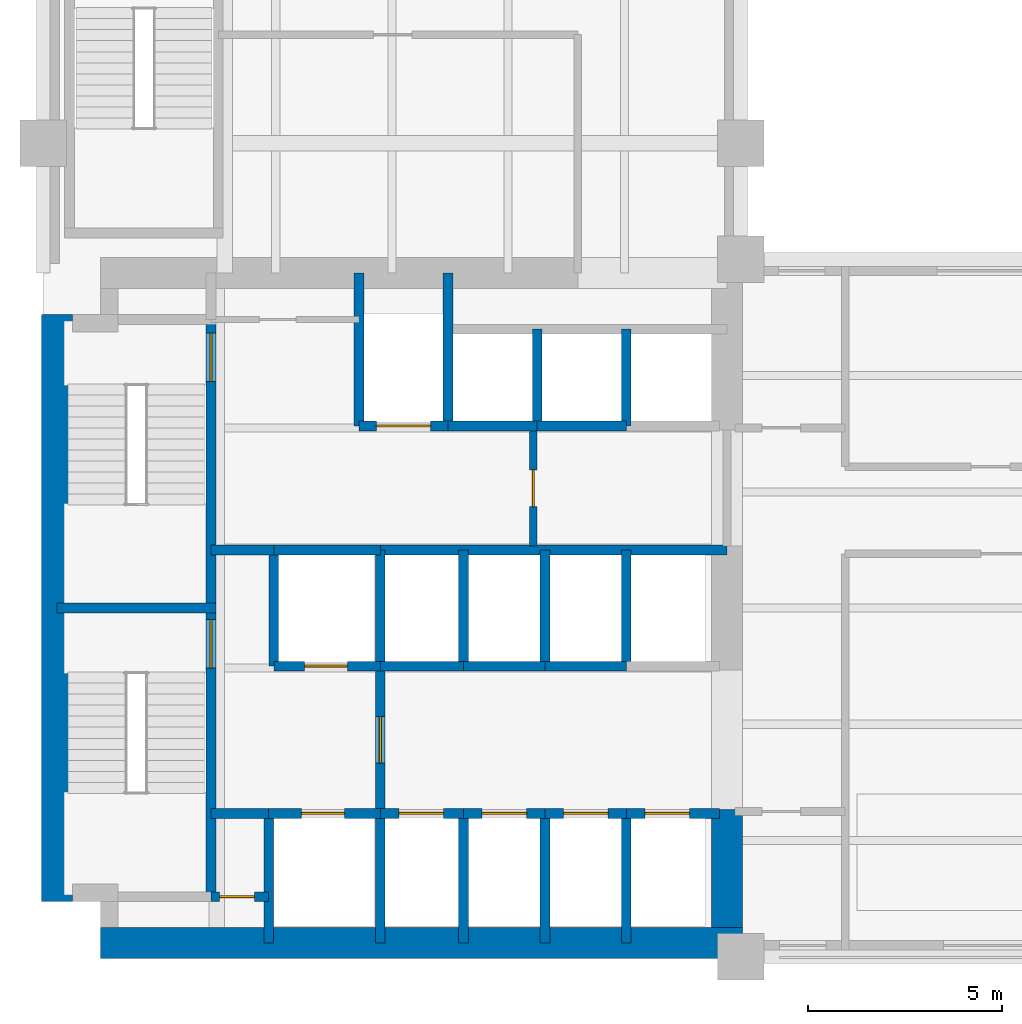
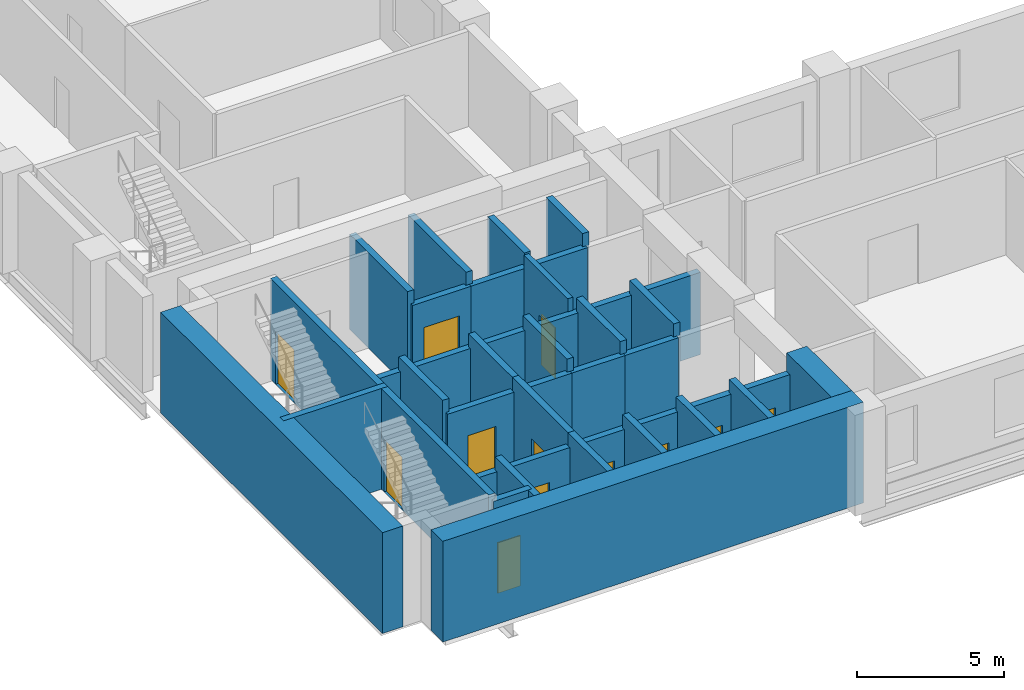
# One storey, part 3 of 8: 39 walls, 12 doors, 12 openings.
"""IFC4 building model written with IfcOpenShell, lengths in metres."""

from ifc_helpers import new_model, si_unit, direction, frame, frame_2d, origin, place, context, subcontext, project, spatial, rectangle, extrude, material, layer, layer_set, type_object, element, fill, save


model = new_model("IFC4")

# Units and contexts
model_context = context("Model", 3, precision=1e-05, world=origin(), true_north=direction((0.0, 1.0)))
body_context = subcontext(model_context, "Body", "Model", "MODEL_VIEW")
ifc_project = project(units=[si_unit("LENGTHUNIT", "METRE"), si_unit("AREAUNIT", "SQUARE_METRE"), si_unit("VOLUMEUNIT", "CUBIC_METRE"), si_unit("PLANEANGLEUNIT", "RADIAN"), si_unit("MASSUNIT", "GRAM", prefix="KILO")], contexts=[model_context])

# Site, building, storey
site_placement = place(None, origin())
site = spatial("IfcSite", under=ifc_project, at=site_placement, CompositionType="ELEMENT")
building_placement = place(site_placement, origin())
building = spatial("IfcBuilding", under=site, at=building_placement, Name="Mawjdan Bourse Tower", CompositionType="ELEMENT")
storey_placement = place(building_placement, frame((0.0, 0.0, 38.39990234375)))
storey = spatial("IfcBuildingStorey", under=building, at=storey_placement, Name="L08", CompositionType="ELEMENT", Elevation=38.39990234375)

# Wall, opening, door
ifc_material_1 = material(Name="Gypsum Fireboard Assembly")
ifc_layer_1 = layer(ifc_material_1, 0.199951171875)
ifc_layer_set_1 = layer_set([ifc_layer_1], Name="Gypsum Fireboard Assembly")
wall_type_1 = type_object("IfcWallType", Name="WL-CMP-200", PredefinedType="PARTITIONING", material=ifc_layer_set_1)
wall_1_placement = place(storey_placement, frame((18.64990234375, 13.60009765625, 0.0), z_axis=(0.0, 0.0, 1.0), x_axis=(0.0, 1.0, 0.0)))
wall_1 = element("IfcWall", 1, at=wall_1_placement, inside=storey, type_object=wall_type_1, Name="L08 Core Restroom West Wall", PredefinedType="PARTITIONING", context=body_context, shape_type="SweptSolid", body=[
    extrude(rectangle(XDim=3.0, YDim=0.199951171875, at=frame_2d((1.5, 0.0))), origin(), (0.0, 0.0, 1.0), 3.97021484375),
])
opening_1_placement = place(wall_1_placement, frame((1.02001953125, 0.0, 0.0)))
opening_1 = element("IfcOpeningElement", 2, at=opening_1_placement, cuts=wall_1, Name="Opening D-L08-14", PredefinedType="OPENING", context=body_context, shape_type="SweptSolid", body=[
    extrude(rectangle(XDim=0.949951171875, YDim=2.10009765625, at=frame_2d((0.47509765625, 1.050048828125))), frame((0.0, 0.10986328125, 0.0), z_axis=(0.0, -1.0, 0.0), x_axis=(1.0, 0.0, 0.0)), (0.0, 0.0, 1.0), 0.219970703125),
])
ifc_material_2 = material(Name="Moisture-Resistant Laminate Timber", Category="wood")
door_type_1 = type_object("IfcDoorType", Name="DR-WET-0950", OperationType="NOTDEFINED", PredefinedType="DOOR", material=ifc_material_2)
door_1_placement = place(opening_1_placement, origin())
door_1 = element("IfcDoor", 3, at=door_1_placement, inside=storey, type_object=door_type_1, Name="L08 Accessible WC Entry Door D-L08-14", OperationType="SINGLE_SWING_LEFT", OverallHeight=2.10009765625, OverallWidth=0.949951171875, PredefinedType="DOOR", context=body_context, shape_type="SweptSolid", body=[
    extrude(rectangle(XDim=0.949951171875, YDim=2.10009765625, at=frame_2d((0.47509765625, 1.050048828125))), frame((0.0, 0.02490234375, 0.0), z_axis=(0.0, -1.0, 0.0), x_axis=(1.0, 0.0, 0.0)), (0.0, 0.0, 1.0), 0.050048828125),
])
fill(opening_1, door_1)

# Walls
ifc_material_3 = material(Name="Concrete C80/95", Category="concrete")
ifc_layer_2 = layer(ifc_material_3, 0.800048828125)
ifc_layer_set_2 = layer_set([ifc_layer_2], Name="Concrete C80/95")
wall_type_2 = type_object("IfcWallType", Name="WL-CORE-800", PredefinedType="SHEAR", material=ifc_layer_set_2)
wall_2_placement = place(storey_placement, frame((7.47509765625, 3.35009765625, 0.0), z_axis=(0.0, 0.0, 1.0), x_axis=(1.0, 0.0, 0.0)))
element("IfcWall", 4, at=wall_2_placement, inside=storey, type_object=wall_type_2, Name="L08 Rear Core Shear Wall S", PredefinedType="SHEAR", context=body_context, shape_type="SweptSolid", body=[
    extrude(rectangle(XDim=16.574951171875, YDim=0.800048828125, at=frame_2d((8.28759765625, 0.0))), origin(), (0.0, 0.0, 1.0), 4.2001953125),
])
wall_3_placement = place(storey_placement, frame((6.35009765625, 4.425048828125, 0.0), z_axis=(0.0, 0.0, 1.0), x_axis=(0.0, 1.0, 0.0)))
element("IfcWall", 5, at=wall_3_placement, inside=storey, type_object=wall_type_2, Name="L08 Rear Core Shear Wall W", PredefinedType="SHEAR", context=body_context, shape_type="SweptSolid", body=[
    extrude(rectangle(XDim=15.14990234375, YDim=0.800048828125, at=frame_2d((7.574951171875, 0.0))), origin(), (0.0, 0.0, 1.0), 4.2001953125),
])
wall_4_placement = place(storey_placement, frame((23.64990234375, 3.75, 0.0), z_axis=(0.0, 0.0, 1.0), x_axis=(0.0, 1.0, 0.0)))
element("IfcWall", 6, at=wall_4_placement, inside=storey, type_object=wall_type_2, Name="L08 Rear Core Shear Wall E1", PredefinedType="SHEAR", context=body_context, shape_type="SweptSolid", body=[
    extrude(rectangle(XDim=3.050048828125, YDim=0.800048828125, at=frame_2d((1.52490234375, 0.0))), origin(), (0.0, 0.0, 1.0), 4.2001953125),
])

# Wall, opening, door
ifc_material_4 = material(Name="Concrete C50/60", Category="concrete")
ifc_layer_3 = layer(ifc_material_4, 0.25)
ifc_layer_set_3 = layer_set([ifc_layer_3], Name="Concrete C50/60")
wall_type_3 = type_object("IfcWallType", Name="WL-SHFT-250", PredefinedType="PARTITIONING", material=ifc_layer_set_3)
wall_5_placement = place(storey_placement, frame((10.330078125, 4.550048828125, 0.0), z_axis=(0.0, 0.0, 1.0), x_axis=(1.0, 0.0, 0.0)))
wall_5 = element("IfcWall", 7, at=wall_5_placement, inside=storey, type_object=wall_type_3, Name="L08 SW Riser North Wall", PredefinedType="PARTITIONING", context=body_context, shape_type="SweptSolid", body=[
    extrude(rectangle(XDim=1.489990234375, YDim=0.25, at=frame_2d((0.7451171875, 0.0))), origin(), (0.0, 0.0, 1.0), 3.97021484375),
])
opening_2_placement = place(wall_5_placement, frame((0.219970703125, 0.0, 0.0)))
opening_2 = element("IfcOpeningElement", 8, at=opening_2_placement, cuts=wall_5, Name="Opening RD-L08-03", PredefinedType="OPENING", context=body_context, shape_type="SweptSolid", body=[
    extrude(rectangle(XDim=0.89990234375, YDim=2.10009765625, at=frame_2d((0.449951171875, 1.050048828125))), frame((0.0, 0.135009765625, 0.0), z_axis=(0.0, -1.0, 0.0), x_axis=(1.0, 0.0, 0.0)), (0.0, 0.0, 1.0), 0.27001953125),
])
ifc_material_5 = material(Name="Fire-Rated Steel Access Leaf", Category="steel")
door_type_2 = type_object("IfcDoorType", Name="FD-RSR-0900", OperationType="NOTDEFINED", PredefinedType="TRAPDOOR", material=ifc_material_5)
door_2_placement = place(opening_2_placement, origin())
door_2 = element("IfcDoor", 9, at=door_2_placement, inside=storey, type_object=door_type_2, Name="L08 Electrical Riser Access Door RD-L08-03", OperationType="SINGLE_SWING_LEFT", OverallHeight=2.10009765625, OverallWidth=0.89990234375, PredefinedType="TRAPDOOR", context=body_context, shape_type="SweptSolid", body=[
    extrude(rectangle(XDim=0.89990234375, YDim=2.10009765625, at=frame_2d((0.449951171875, 1.050048828125))), frame((0.0, 0.02490234375, 0.0), z_axis=(0.0, -1.0, 0.0), x_axis=(1.0, 0.0, 0.0)), (0.0, 0.0, 1.0), 0.050048828125),
])
fill(opening_2, door_2)

# Wall
wall_6_placement = place(storey_placement, frame((11.820068359375, 3.35009765625, 0.0), z_axis=(0.0, 0.0, 1.0), x_axis=(0.0, 1.0, 0.0)))
element("IfcWall", 10, at=wall_6_placement, inside=storey, type_object=wall_type_3, Name="L08 SW Riser & FFL01 West Wall", PredefinedType="PARTITIONING", context=body_context, shape_type="SweptSolid", body=[
    extrude(rectangle(XDim=3.349853515625, YDim=0.25, at=frame_2d((1.6748046875, 0.0))), origin(), (0.0, 0.0, 1.0), 3.97021484375),
])

# Wall, opening, door
wall_7_placement = place(storey_placement, frame((11.820068359375, 6.699951171875, 0.0), z_axis=(0.0, 0.0, 1.0), x_axis=(1.0, 0.0, 0.0)))
wall_7 = element("IfcWall", 11, at=wall_7_placement, inside=storey, type_object=wall_type_3, Name="L08 FFL-01 Front Shaft Wall", PredefinedType="PARTITIONING", context=body_context, shape_type="SweptSolid", body=[
    extrude(rectangle(XDim=2.8798828125, YDim=0.25, at=frame_2d((1.43994140625, 0.0))), origin(), (0.0, 0.0, 1.0), 3.426025390625),
])
opening_3_placement = place(wall_7_placement, frame((0.85009765625, 0.0, 0.0)))
opening_3 = element("IfcOpeningElement", 12, at=opening_3_placement, cuts=wall_7, Name="Opening LD-L08-05", PredefinedType="OPENING", context=body_context, shape_type="SweptSolid", body=[
    extrude(rectangle(XDim=1.10009765625, YDim=2.25, at=frame_2d((0.550048828125, 1.125))), frame((0.0, 0.135009765625, 0.0), z_axis=(0.0, -1.0, 0.0), x_axis=(1.0, 0.0, 0.0)), (0.0, 0.0, 1.0), 0.27001953125),
])
ifc_material_6 = material(Name="Brushed Stainless Steel", Category="steel")
door_type_3 = type_object("IfcDoorType", Name="LD-FFL-1100", OperationType="DOUBLE_DOOR_SLIDING", PredefinedType="DOOR", material=ifc_material_6)
door_3_placement = place(opening_3_placement, origin())
door_3 = element("IfcDoor", 13, at=door_3_placement, inside=storey, type_object=door_type_3, Name="L08 Firefighting Lift FFL-01 Landing Door LD-L08-05", OperationType="DOUBLE_DOOR_SLIDING", OverallHeight=2.25, OverallWidth=1.10009765625, PredefinedType="DOOR", context=body_context, shape_type="SweptSolid", body=[
    extrude(rectangle(XDim=1.10009765625, YDim=2.25, at=frame_2d((0.550048828125, 1.125))), frame((0.0, 0.02490234375, 0.0), z_axis=(0.0, -1.0, 0.0), x_axis=(1.0, 0.0, 0.0)), (0.0, 0.0, 1.0), 0.050048828125),
])
fill(opening_3, door_3)

# Wall
wall_8_placement = place(storey_placement, frame((14.699951171875, 3.35009765625, 0.0), z_axis=(0.0, 0.0, 1.0), x_axis=(0.0, 1.0, 0.0)))
element("IfcWall", 14, at=wall_8_placement, inside=storey, type_object=wall_type_3, Name="L08 FFL-01 East Shaft Wall", PredefinedType="PARTITIONING", context=body_context, shape_type="SweptSolid", body=[
    extrude(rectangle(XDim=3.349853515625, YDim=0.25, at=frame_2d((1.6748046875, 0.0))), origin(), (0.0, 0.0, 1.0), 3.97021484375),
])

# Wall, opening, door
wall_9_placement = place(storey_placement, frame((11.949951171875, 10.5, 0.0), z_axis=(0.0, 0.0, 1.0), x_axis=(1.0, 0.0, 0.0)))
wall_9 = element("IfcWall", 15, at=wall_9_placement, inside=storey, type_object=wall_type_3, Name="L08 FFL-02 Front Shaft Wall", PredefinedType="PARTITIONING", context=body_context, shape_type="SweptSolid", body=[
    extrude(rectangle(XDim=2.75, YDim=0.25, at=frame_2d((1.375, 0.0))), origin(), (0.0, 0.0, 1.0), 3.426025390625),
])
opening_4_placement = place(wall_9_placement, frame((0.800048828125, 0.0, 0.0)))
opening_4 = element("IfcOpeningElement", 16, at=opening_4_placement, cuts=wall_9, Name="Opening LD-L08-06", PredefinedType="OPENING", context=body_context, shape_type="SweptSolid", body=[
    extrude(rectangle(XDim=1.10009765625, YDim=2.25, at=frame_2d((0.550048828125, 1.125))), frame((0.0, 0.135009765625, 0.0), z_axis=(0.0, -1.0, 0.0), x_axis=(1.0, 0.0, 0.0)), (0.0, 0.0, 1.0), 0.27001953125),
])
door_4_placement = place(opening_4_placement, origin())
door_4 = element("IfcDoor", 17, at=door_4_placement, inside=storey, type_object=door_type_3, Name="L08 Firefighting Lift FFL-02 Landing Door LD-L08-06", OperationType="DOUBLE_DOOR_SLIDING", OverallHeight=2.25, OverallWidth=1.10009765625, PredefinedType="DOOR", context=body_context, shape_type="SweptSolid", body=[
    extrude(rectangle(XDim=1.10009765625, YDim=2.25, at=frame_2d((0.550048828125, 1.125))), frame((0.0, 0.02490234375, 0.0), z_axis=(0.0, -1.0, 0.0), x_axis=(1.0, 0.0, 0.0)), (0.0, 0.0, 1.0), 0.050048828125),
])
fill(opening_4, door_4)

# Walls
wall_10_placement = place(storey_placement, frame((11.949951171875, 10.5, 0.0), z_axis=(0.0, 0.0, 1.0), x_axis=(0.0, 1.0, 0.0)))
element("IfcWall", 18, at=wall_10_placement, inside=storey, type_object=wall_type_3, Name="L08 FFL-02 West Shaft Wall", PredefinedType="PARTITIONING", context=body_context, shape_type="SweptSolid", body=[
    extrude(rectangle(XDim=3.0, YDim=0.25, at=frame_2d((1.5, 0.0))), origin(), (0.0, 0.0, 1.0), 3.97021484375),
])
wall_11_placement = place(storey_placement, frame((11.949951171875, 13.5, 0.0), z_axis=(0.0, 0.0, 1.0), x_axis=(1.0, 0.0, 0.0)))
element("IfcWall", 19, at=wall_11_placement, inside=storey, type_object=wall_type_3, Name="L08 FFL-02 North Shaft Wall", PredefinedType="PARTITIONING", context=body_context, shape_type="SweptSolid", body=[
    extrude(rectangle(XDim=2.75, YDim=0.25, at=frame_2d((1.375, 0.0))), origin(), (0.0, 0.0, 1.0), 3.426025390625),
])
wall_12_placement = place(storey_placement, frame((14.699951171875, 10.5, 0.0), z_axis=(0.0, 0.0, 1.0), x_axis=(0.0, 1.0, 0.0)))
element("IfcWall", 20, at=wall_12_placement, inside=storey, type_object=wall_type_3, Name="L08 FFL-02 East Shaft Wall", PredefinedType="PARTITIONING", context=body_context, shape_type="SweptSolid", body=[
    extrude(rectangle(XDim=3.0, YDim=0.25, at=frame_2d((1.5, 0.0))), origin(), (0.0, 0.0, 1.0), 3.97021484375),
])

# Wall, opening, door
wall_13_placement = place(storey_placement, frame((14.699951171875, 6.699951171875, 0.0), z_axis=(0.0, 0.0, 1.0), x_axis=(0.0, 1.0, 0.0)))
wall_13 = element("IfcWall", 21, at=wall_13_placement, inside=storey, type_object=wall_type_3, Name="L08 Firefighting Lobby East Compartment Wall", PredefinedType="PARTITIONING", context=body_context, shape_type="SweptSolid", body=[
    extrude(rectangle(XDim=3.800048828125, YDim=0.25, at=frame_2d((1.89990234375, 0.0))), origin(), (0.0, 0.0, 1.0), 3.97021484375),
])
opening_5_placement = place(wall_13_placement, frame((1.300048828125, 0.0, 0.0)))
opening_5 = element("IfcOpeningElement", 22, at=opening_5_placement, cuts=wall_13, Name="Opening FD-L08-07", PredefinedType="OPENING", context=body_context, shape_type="SweptSolid", body=[
    extrude(rectangle(XDim=1.199951171875, YDim=2.199951171875, at=frame_2d((0.60009765625, 1.10009765625))), frame((0.0, 0.135009765625, 0.0), z_axis=(0.0, -1.0, 0.0), x_axis=(1.0, 0.0, 0.0)), (0.0, 0.0, 1.0), 0.27001953125),
])
ifc_material_7 = material(Name="Fire-Rated Steel Leaf", Category="steel")
door_type_4 = type_object("IfcDoorType", Name="FD-FFL-1200", OperationType="NOTDEFINED", PredefinedType="DOOR", material=ifc_material_7)
door_5_placement = place(opening_5_placement, origin())
door_5 = element("IfcDoor", 23, at=door_5_placement, inside=storey, type_object=door_type_4, Name="L08 Firefighting Lobby East Smoke Door FD-L08-07", OperationType="SINGLE_SWING_LEFT", OverallHeight=2.199951171875, OverallWidth=1.199951171875, PredefinedType="DOOR", context=body_context, shape_type="SweptSolid", body=[
    extrude(rectangle(XDim=1.199951171875, YDim=2.199951171875, at=frame_2d((0.60009765625, 1.10009765625))), frame((0.0, 0.02490234375, 0.0), z_axis=(0.0, -1.0, 0.0), x_axis=(1.0, 0.0, 0.0)), (0.0, 0.0, 1.0), 0.050048828125),
])
fill(opening_5, door_5)

# Walls
wall_14_placement = place(storey_placement, frame((10.330078125, 13.5, 0.0), z_axis=(0.0, 0.0, 1.0), x_axis=(1.0, 0.0, 0.0)))
element("IfcWall", 24, at=wall_14_placement, inside=storey, type_object=wall_type_3, Name="L08 Firefighting Lobby North Compartment Wall", PredefinedType="PARTITIONING", context=body_context, shape_type="SweptSolid", body=[
    extrude(rectangle(XDim=1.619873046875, YDim=0.25, at=frame_2d((0.81005859375, 0.0))), origin(), (0.0, 0.0, 1.0), 3.426025390625),
])
wall_15_placement = place(storey_placement, frame((10.330078125, 6.699951171875, 0.0), z_axis=(0.0, 0.0, 1.0), x_axis=(1.0, 0.0, 0.0)))
element("IfcWall", 25, at=wall_15_placement, inside=storey, type_object=wall_type_3, Name="L08 Firefighting Lobby South Closure Wall", PredefinedType="PARTITIONING", context=body_context, shape_type="SweptSolid", body=[
    extrude(rectangle(XDim=1.489990234375, YDim=0.25, at=frame_2d((0.7451171875, 0.0))), origin(), (0.0, 0.0, 1.0), 3.426025390625),
])

# Wall, opening, door
wall_16_placement = place(storey_placement, frame((14.14990234375, 16.699951171875, 0.0), z_axis=(0.0, 0.0, 1.0), x_axis=(1.0, 0.0, 0.0)))
wall_16 = element("IfcWall", 26, at=wall_16_placement, inside=storey, type_object=wall_type_3, Name="L08 SVL-01 Front Shaft Wall", PredefinedType="PARTITIONING", context=body_context, shape_type="SweptSolid", body=[
    extrude(rectangle(XDim=2.300048828125, YDim=0.25, at=frame_2d((1.14990234375, 0.0))), origin(), (0.0, 0.0, 1.0), 3.426025390625),
])
opening_6_placement = place(wall_16_placement, frame((0.449951171875, 0.0, 0.0)))
opening_6 = element("IfcOpeningElement", 27, at=opening_6_placement, cuts=wall_16, Name="Opening LD-L08-09", PredefinedType="OPENING", context=body_context, shape_type="SweptSolid", body=[
    extrude(rectangle(XDim=1.39990234375, YDim=2.35009765625, at=frame_2d((0.699951171875, 1.175048828125))), frame((0.0, 0.135009765625, 0.0), z_axis=(0.0, -1.0, 0.0), x_axis=(1.0, 0.0, 0.0)), (0.0, 0.0, 1.0), 0.27001953125),
])
ifc_material_8 = material(Name="Heavy-Duty Stainless Steel", Category="steel")
door_type_5 = type_object("IfcDoorType", Name="LD-SRV-1400", OperationType="DOUBLE_DOOR_SLIDING", PredefinedType="DOOR", material=ifc_material_8)
door_6_placement = place(opening_6_placement, origin())
door_6 = element("IfcDoor", 28, at=door_6_placement, inside=storey, type_object=door_type_5, Name="L08 Service Lift SVL-01 Landing Door LD-L08-09", OperationType="DOUBLE_DOOR_SLIDING", OverallHeight=2.35009765625, OverallWidth=1.39990234375, PredefinedType="DOOR", context=body_context, shape_type="SweptSolid", body=[
    extrude(rectangle(XDim=1.39990234375, YDim=2.35009765625, at=frame_2d((0.699951171875, 1.175048828125))), frame((0.0, 0.02490234375, 0.0), z_axis=(0.0, -1.0, 0.0), x_axis=(1.0, 0.0, 0.0)), (0.0, 0.0, 1.0), 0.050048828125),
])
fill(opening_6, door_6)

# Walls
for number, where, z_axis, x_axis, name in (
    (29, (14.14990234375, 16.699951171875, 0.0), (0.0, 0.0, 1.0), (0.0, 1.0, 0.0), "L08 SVL-01 West Shaft Wall"),
    (30, (16.449951171875, 16.699951171875, 0.0), (0.0, 0.0, 1.0), (0.0, 1.0, 0.0), "L08 SVL-01 East Shaft Wall"),
):
    element("IfcWall", number, at=place(storey_placement, frame(where, z_axis=z_axis, x_axis=x_axis)), inside=storey, type_object=wall_type_3, Name=name, PredefinedType="PARTITIONING", context=body_context, shape_type="SweptSolid", body=[
        extrude(rectangle(XDim=3.949951171875, YDim=0.25, at=frame_2d((1.97509765625, 0.0))), origin(), (0.0, 0.0, 1.0), 3.97021484375),
    ])
wall_17_placement = place(storey_placement, frame((16.449951171875, 16.699951171875, 0.0), z_axis=(0.0, 0.0, 1.0), x_axis=(1.0, 0.0, 0.0)))
element("IfcWall", 31, at=wall_17_placement, inside=storey, type_object=wall_type_3, Name="L08 PH-01 Front Wall", PredefinedType="PARTITIONING", context=body_context, shape_type="SweptSolid", body=[
    extrude(rectangle(XDim=2.300048828125, YDim=0.25, at=frame_2d((1.14990234375, 0.0))), origin(), (0.0, 0.0, 1.0), 3.426025390625),
])
wall_18_placement = place(storey_placement, frame((18.75, 16.699951171875, 0.0), z_axis=(0.0, 0.0, 1.0), x_axis=(0.0, 1.0, 0.0)))
element("IfcWall", 32, at=wall_18_placement, inside=storey, type_object=wall_type_3, Name="L08 PH-01 Divider Wall", PredefinedType="PARTITIONING", context=body_context, shape_type="SweptSolid", body=[
    extrude(rectangle(XDim=2.5, YDim=0.25, at=frame_2d((1.25, 0.0))), origin(), (0.0, 0.0, 1.0), 3.97021484375),
])
wall_19_placement = place(storey_placement, frame((18.75, 16.699951171875, 0.0), z_axis=(0.0, 0.0, 1.0), x_axis=(1.0, 0.0, 0.0)))
element("IfcWall", 33, at=wall_19_placement, inside=storey, type_object=wall_type_3, Name="L08 PH-02 Front Wall", PredefinedType="PARTITIONING", context=body_context, shape_type="SweptSolid", body=[
    extrude(rectangle(XDim=2.300048828125, YDim=0.25, at=frame_2d((1.14990234375, 0.0))), origin(), (0.0, 0.0, 1.0), 3.426025390625),
])
wall_20_placement = place(storey_placement, frame((21.050048828125, 16.699951171875, 0.0), z_axis=(0.0, 0.0, 1.0), x_axis=(0.0, 1.0, 0.0)))
element("IfcWall", 34, at=wall_20_placement, inside=storey, type_object=wall_type_3, Name="L08 PH-02 Divider Wall", PredefinedType="PARTITIONING", context=body_context, shape_type="SweptSolid", body=[
    extrude(rectangle(XDim=2.5, YDim=0.25, at=frame_2d((1.25, 0.0))), origin(), (0.0, 0.0, 1.0), 3.97021484375),
])

# Wall, opening, door
wall_21_placement = place(storey_placement, frame((14.699951171875, 6.699951171875, 0.0), z_axis=(0.0, 0.0, 1.0), x_axis=(1.0, 0.0, 0.0)))
wall_21 = element("IfcWall", 35, at=wall_21_placement, inside=storey, type_object=wall_type_3, Name="L08 PL-04 Front Wall", PredefinedType="PARTITIONING", context=body_context, shape_type="SweptSolid", body=[
    extrude(rectangle(XDim=2.150146484375, YDim=0.25, at=frame_2d((1.0751953125, 0.0))), origin(), (0.0, 0.0, 1.0), 3.426025390625),
])
opening_7_placement = place(wall_21_placement, frame((0.47998046875, 0.0, 0.0)))
opening_7 = element("IfcOpeningElement", 36, at=opening_7_placement, cuts=wall_21, Name="Opening LD-L08-10", PredefinedType="OPENING", context=body_context, shape_type="SweptSolid", body=[
    extrude(rectangle(XDim=1.14990234375, YDim=2.25, at=frame_2d((0.574951171875, 1.125))), frame((0.0, 0.135009765625, 0.0), z_axis=(0.0, -1.0, 0.0), x_axis=(1.0, 0.0, 0.0)), (0.0, 0.0, 1.0), 0.27001953125),
])
door_type_6 = type_object("IfcDoorType", Name="LD-PAS-1150", OperationType="DOUBLE_DOOR_SLIDING", PredefinedType="DOOR", material=ifc_material_6)
door_7_placement = place(opening_7_placement, origin())
door_7 = element("IfcDoor", 37, at=door_7_placement, inside=storey, type_object=door_type_6, Name="L08 Lift PL-04 Landing Door LD-L08-10", OperationType="DOUBLE_DOOR_SLIDING", OverallHeight=2.25, OverallWidth=1.14990234375, PredefinedType="DOOR", context=body_context, shape_type="SweptSolid", body=[
    extrude(rectangle(XDim=1.14990234375, YDim=2.25, at=frame_2d((0.574951171875, 1.125))), frame((0.0, 0.02490234375, 0.0), z_axis=(0.0, -1.0, 0.0), x_axis=(1.0, 0.0, 0.0)), (0.0, 0.0, 1.0), 0.050048828125),
])
fill(opening_7, door_7)

# Wall
wall_22_placement = place(storey_placement, frame((16.85009765625, 3.35009765625, 0.0), z_axis=(0.0, 0.0, 1.0), x_axis=(0.0, 1.0, 0.0)))
element("IfcWall", 38, at=wall_22_placement, inside=storey, type_object=wall_type_3, Name="L08 PL-04 Divider Wall", PredefinedType="PARTITIONING", context=body_context, shape_type="SweptSolid", body=[
    extrude(rectangle(XDim=3.349853515625, YDim=0.25, at=frame_2d((1.6748046875, 0.0))), origin(), (0.0, 0.0, 1.0), 3.97021484375),
])

# Wall, opening, door
wall_23_placement = place(storey_placement, frame((16.85009765625, 6.699951171875, 0.0), z_axis=(0.0, 0.0, 1.0), x_axis=(1.0, 0.0, 0.0)))
wall_23 = element("IfcWall", 39, at=wall_23_placement, inside=storey, type_object=wall_type_3, Name="L08 PL-01 Front Wall", PredefinedType="PARTITIONING", context=body_context, shape_type="SweptSolid", body=[
    extrude(rectangle(XDim=2.099853515625, YDim=0.25, at=frame_2d((1.0498046875, 0.0))), origin(), (0.0, 0.0, 1.0), 3.426025390625),
])
opening_8_placement = place(wall_23_placement, frame((0.47998046875, 0.0, 0.0)))
opening_8 = element("IfcOpeningElement", 40, at=opening_8_placement, cuts=wall_23, Name="Opening LD-L08-11", PredefinedType="OPENING", context=body_context, shape_type="SweptSolid", body=[
    extrude(rectangle(XDim=1.14990234375, YDim=2.25, at=frame_2d((0.574951171875, 1.125))), frame((0.0, 0.135009765625, 0.0), z_axis=(0.0, -1.0, 0.0), x_axis=(1.0, 0.0, 0.0)), (0.0, 0.0, 1.0), 0.27001953125),
])
door_8_placement = place(opening_8_placement, origin())
door_8 = element("IfcDoor", 41, at=door_8_placement, inside=storey, type_object=door_type_6, Name="L08 Lift PL-01 Landing Door LD-L08-11", OperationType="DOUBLE_DOOR_SLIDING", OverallHeight=2.25, OverallWidth=1.14990234375, PredefinedType="DOOR", context=body_context, shape_type="SweptSolid", body=[
    extrude(rectangle(XDim=1.14990234375, YDim=2.25, at=frame_2d((0.574951171875, 1.125))), frame((0.0, 0.02490234375, 0.0), z_axis=(0.0, -1.0, 0.0), x_axis=(1.0, 0.0, 0.0)), (0.0, 0.0, 1.0), 0.050048828125),
])
fill(opening_8, door_8)

# Wall
wall_24_placement = place(storey_placement, frame((18.949951171875, 3.35009765625, 0.0), z_axis=(0.0, 0.0, 1.0), x_axis=(0.0, 1.0, 0.0)))
element("IfcWall", 42, at=wall_24_placement, inside=storey, type_object=wall_type_3, Name="L08 PL-01 Divider Wall", PredefinedType="PARTITIONING", context=body_context, shape_type="SweptSolid", body=[
    extrude(rectangle(XDim=3.349853515625, YDim=0.25, at=frame_2d((1.6748046875, 0.0))), origin(), (0.0, 0.0, 1.0), 3.97021484375),
])

# Wall, opening, door
wall_25_placement = place(storey_placement, frame((18.949951171875, 6.699951171875, 0.0), z_axis=(0.0, 0.0, 1.0), x_axis=(1.0, 0.0, 0.0)))
wall_25 = element("IfcWall", 43, at=wall_25_placement, inside=storey, type_object=wall_type_3, Name="L08 PL-02 Front Wall", PredefinedType="PARTITIONING", context=body_context, shape_type="SweptSolid", body=[
    extrude(rectangle(XDim=2.10009765625, YDim=0.25, at=frame_2d((1.050048828125, 0.0))), origin(), (0.0, 0.0, 1.0), 3.426025390625),
])
opening_9_placement = place(wall_25_placement, frame((0.47998046875, 0.0, 0.0)))
opening_9 = element("IfcOpeningElement", 44, at=opening_9_placement, cuts=wall_25, Name="Opening LD-L08-12", PredefinedType="OPENING", context=body_context, shape_type="SweptSolid", body=[
    extrude(rectangle(XDim=1.14990234375, YDim=2.25, at=frame_2d((0.574951171875, 1.125))), frame((0.0, 0.135009765625, 0.0), z_axis=(0.0, -1.0, 0.0), x_axis=(1.0, 0.0, 0.0)), (0.0, 0.0, 1.0), 0.27001953125),
])
door_9_placement = place(opening_9_placement, origin())
door_9 = element("IfcDoor", 45, at=door_9_placement, inside=storey, type_object=door_type_6, Name="L08 Lift PL-02 Landing Door LD-L08-12", OperationType="DOUBLE_DOOR_SLIDING", OverallHeight=2.25, OverallWidth=1.14990234375, PredefinedType="DOOR", context=body_context, shape_type="SweptSolid", body=[
    extrude(rectangle(XDim=1.14990234375, YDim=2.25, at=frame_2d((0.574951171875, 1.125))), frame((0.0, 0.02490234375, 0.0), z_axis=(0.0, -1.0, 0.0), x_axis=(1.0, 0.0, 0.0)), (0.0, 0.0, 1.0), 0.050048828125),
])
fill(opening_9, door_9)

# Wall
wall_26_placement = place(storey_placement, frame((21.050048828125, 3.35009765625, 0.0), z_axis=(0.0, 0.0, 1.0), x_axis=(0.0, 1.0, 0.0)))
element("IfcWall", 46, at=wall_26_placement, inside=storey, type_object=wall_type_3, Name="L08 PL-02 Divider Wall", PredefinedType="PARTITIONING", context=body_context, shape_type="SweptSolid", body=[
    extrude(rectangle(XDim=3.349853515625, YDim=0.25, at=frame_2d((1.6748046875, 0.0))), origin(), (0.0, 0.0, 1.0), 3.97021484375),
])

# Wall, opening, door
wall_27_placement = place(storey_placement, frame((21.050048828125, 6.699951171875, 0.0), z_axis=(0.0, 0.0, 1.0), x_axis=(1.0, 0.0, 0.0)))
wall_27 = element("IfcWall", 47, at=wall_27_placement, inside=storey, type_object=wall_type_3, Name="L08 PL-03 Front Wall", PredefinedType="PARTITIONING", context=body_context, shape_type="SweptSolid", body=[
    extrude(rectangle(XDim=2.39990234375, YDim=0.25, at=frame_2d((1.199951171875, 0.0))), origin(), (0.0, 0.0, 1.0), 3.426025390625),
])
opening_10_placement = place(wall_27_placement, frame((0.47998046875, 0.0, 0.0)))
opening_10 = element("IfcOpeningElement", 48, at=opening_10_placement, cuts=wall_27, Name="Opening LD-L08-13", PredefinedType="OPENING", context=body_context, shape_type="SweptSolid", body=[
    extrude(rectangle(XDim=1.14990234375, YDim=2.25, at=frame_2d((0.574951171875, 1.125))), frame((0.0, 0.135009765625, 0.0), z_axis=(0.0, -1.0, 0.0), x_axis=(1.0, 0.0, 0.0)), (0.0, 0.0, 1.0), 0.27001953125),
])
door_10_placement = place(opening_10_placement, origin())
door_10 = element("IfcDoor", 49, at=door_10_placement, inside=storey, type_object=door_type_6, Name="L08 Lift PL-03 Landing Door LD-L08-13", OperationType="DOUBLE_DOOR_SLIDING", OverallHeight=2.25, OverallWidth=1.14990234375, PredefinedType="DOOR", context=body_context, shape_type="SweptSolid", body=[
    extrude(rectangle(XDim=1.14990234375, YDim=2.25, at=frame_2d((0.574951171875, 1.125))), frame((0.0, 0.02490234375, 0.0), z_axis=(0.0, -1.0, 0.0), x_axis=(1.0, 0.0, 0.0)), (0.0, 0.0, 1.0), 0.050048828125),
])
fill(opening_10, door_10)

# Walls
wall_28_placement = place(storey_placement, frame((14.699951171875, 10.5, 0.0), z_axis=(0.0, 0.0, 1.0), x_axis=(1.0, 0.0, 0.0)))
element("IfcWall", 50, at=wall_28_placement, inside=storey, type_object=wall_type_3, Name="L08 PM-01 Front Wall", PredefinedType="PARTITIONING", context=body_context, shape_type="SweptSolid", body=[
    extrude(rectangle(XDim=2.150146484375, YDim=0.25, at=frame_2d((1.0751953125, 0.0))), origin(), (0.0, 0.0, 1.0), 3.426025390625),
])
wall_29_placement = place(storey_placement, frame((16.85009765625, 10.5, 0.0), z_axis=(0.0, 0.0, 1.0), x_axis=(0.0, 1.0, 0.0)))
element("IfcWall", 51, at=wall_29_placement, inside=storey, type_object=wall_type_3, Name="L08 PM-01 Divider Wall", PredefinedType="PARTITIONING", context=body_context, shape_type="SweptSolid", body=[
    extrude(rectangle(XDim=3.0, YDim=0.25, at=frame_2d((1.5, 0.0))), origin(), (0.0, 0.0, 1.0), 3.97021484375),
])
wall_30_placement = place(storey_placement, frame((16.85009765625, 10.5, 0.0), z_axis=(0.0, 0.0, 1.0), x_axis=(1.0, 0.0, 0.0)))
element("IfcWall", 52, at=wall_30_placement, inside=storey, type_object=wall_type_3, Name="L08 PM-02 Front Wall", PredefinedType="PARTITIONING", context=body_context, shape_type="SweptSolid", body=[
    extrude(rectangle(XDim=2.099853515625, YDim=0.25, at=frame_2d((1.0498046875, 0.0))), origin(), (0.0, 0.0, 1.0), 3.426025390625),
])
wall_31_placement = place(storey_placement, frame((18.949951171875, 10.5, 0.0), z_axis=(0.0, 0.0, 1.0), x_axis=(0.0, 1.0, 0.0)))
element("IfcWall", 53, at=wall_31_placement, inside=storey, type_object=wall_type_3, Name="L08 PM-02 Divider Wall", PredefinedType="PARTITIONING", context=body_context, shape_type="SweptSolid", body=[
    extrude(rectangle(XDim=3.0, YDim=0.25, at=frame_2d((1.5, 0.0))), origin(), (0.0, 0.0, 1.0), 3.97021484375),
])
wall_32_placement = place(storey_placement, frame((18.949951171875, 10.5, 0.0), z_axis=(0.0, 0.0, 1.0), x_axis=(1.0, 0.0, 0.0)))
element("IfcWall", 54, at=wall_32_placement, inside=storey, type_object=wall_type_3, Name="L08 PM-03 Front Wall", PredefinedType="PARTITIONING", context=body_context, shape_type="SweptSolid", body=[
    extrude(rectangle(XDim=2.10009765625, YDim=0.25, at=frame_2d((1.050048828125, 0.0))), origin(), (0.0, 0.0, 1.0), 3.426025390625),
])
wall_33_placement = place(storey_placement, frame((21.050048828125, 10.5, 0.0), z_axis=(0.0, 0.0, 1.0), x_axis=(0.0, 1.0, 0.0)))
element("IfcWall", 55, at=wall_33_placement, inside=storey, type_object=wall_type_3, Name="L08 PM-03 Divider Wall", PredefinedType="PARTITIONING", context=body_context, shape_type="SweptSolid", body=[
    extrude(rectangle(XDim=3.0, YDim=0.25, at=frame_2d((1.5, 0.0))), origin(), (0.0, 0.0, 1.0), 3.97021484375),
])
wall_34_placement = place(storey_placement, frame((14.699951171875, 13.5, 0.0), z_axis=(0.0, 0.0, 1.0), x_axis=(1.0, 0.0, 0.0)))
element("IfcWall", 56, at=wall_34_placement, inside=storey, type_object=wall_type_3, Name="L08 PM Bank North Shaft Back Wall", PredefinedType="PARTITIONING", context=body_context, shape_type="SweptSolid", body=[
    extrude(rectangle(XDim=8.949951171875, YDim=0.25, at=frame_2d((4.47509765625, 0.0))), origin(), (0.0, 0.0, 1.0), 3.426025390625),
])
ifc_layer_4 = layer(ifc_material_4, 0.25)
ifc_layer_set_4 = layer_set([ifc_layer_4], Name="Concrete C50/60")
wall_type_4 = type_object("IfcWallType", Name="WL-STRW-250", PredefinedType="SHEAR", material=ifc_layer_set_4)
wall_35_placement = place(storey_placement, frame((6.35009765625, 12.0, 0.0), z_axis=(0.0, 0.0, 1.0), x_axis=(1.0, 0.0, 0.0)))
element("IfcWall", 57, at=wall_35_placement, inside=storey, type_object=wall_type_4, Name="L08 Stairwell Dividing Shaft Wall", PredefinedType="SHEAR", context=body_context, shape_type="SweptSolid", body=[
    extrude(rectangle(XDim=4.10498046875, YDim=0.25, at=frame_2d((2.052490234375, 0.0))), origin(), (0.0, 0.0, 1.0), 4.2001953125),
])

# Wall, opening, door
wall_36_placement = place(storey_placement, frame((10.330078125, 4.550048828125, 0.0), z_axis=(0.0, 0.0, 1.0), x_axis=(0.0, 1.0, 0.0)))
wall_36 = element("IfcWall", 58, at=wall_36_placement, inside=storey, type_object=wall_type_4, Name="L08 Stairwell ST1 East Enclosure Wall", PredefinedType="SHEAR", context=body_context, shape_type="SweptSolid", body=[
    extrude(rectangle(XDim=7.449951171875, YDim=0.25, at=frame_2d((3.72509765625, 0.0))), origin(), (0.0, 0.0, 1.0), 4.2001953125),
])
opening_11_placement = place(wall_36_placement, frame((5.89990234375, 0.0, 0.0)))
opening_11 = element("IfcOpeningElement", 59, at=opening_11_placement, cuts=wall_36, Name="Opening SD-L08-01", PredefinedType="OPENING", context=body_context, shape_type="SweptSolid", body=[
    extrude(rectangle(XDim=1.25, YDim=2.199951171875, at=frame_2d((0.625, 1.10009765625))), frame((0.0, 0.135009765625, 0.0), z_axis=(0.0, -1.0, 0.0), x_axis=(1.0, 0.0, 0.0)), (0.0, 0.0, 1.0), 0.27001953125),
])
door_type_7 = type_object("IfcDoorType", Name="FD-ST-1250", OperationType="NOTDEFINED", PredefinedType="DOOR", material=ifc_material_7)
door_11_placement = place(opening_11_placement, origin())
door_11 = element("IfcDoor", 60, at=door_11_placement, inside=storey, type_object=door_type_7, Name="L08 Exit Stair ST1 Fire Door SD-L08-01", OperationType="SINGLE_SWING_LEFT", OverallHeight=2.199951171875, OverallWidth=1.25, PredefinedType="DOOR", context=body_context, shape_type="SweptSolid", body=[
    extrude(rectangle(XDim=1.25, YDim=2.199951171875, at=frame_2d((0.625, 1.10009765625))), frame((0.0, 0.02490234375, 0.0), z_axis=(0.0, -1.0, 0.0), x_axis=(1.0, 0.0, 0.0)), (0.0, 0.0, 1.0), 0.050048828125),
])
fill(opening_11, door_11)

wall_37_placement = place(storey_placement, frame((10.330078125, 12.0, 0.0), z_axis=(0.0, 0.0, 1.0), x_axis=(0.0, 1.0, 0.0)))
wall_37 = element("IfcWall", 61, at=wall_37_placement, inside=storey, type_object=wall_type_4, Name="L08 Stairwell ST2 East Enclosure Wall", PredefinedType="SHEAR", context=body_context, shape_type="SweptSolid", body=[
    extrude(rectangle(XDim=7.449951171875, YDim=0.25, at=frame_2d((3.72509765625, 0.0))), origin(), (0.0, 0.0, 1.0), 4.2001953125),
])
opening_12_placement = place(wall_37_placement, frame((5.85009765625, 0.0, 0.0)))
opening_12 = element("IfcOpeningElement", 62, at=opening_12_placement, cuts=wall_37, Name="Opening SD-L08-02", PredefinedType="OPENING", context=body_context, shape_type="SweptSolid", body=[
    extrude(rectangle(XDim=1.25, YDim=2.199951171875, at=frame_2d((0.625, 1.10009765625))), frame((0.0, 0.135009765625, 0.0), z_axis=(0.0, -1.0, 0.0), x_axis=(1.0, 0.0, 0.0)), (0.0, 0.0, 1.0), 0.27001953125),
])
door_12_placement = place(opening_12_placement, origin())
door_12 = element("IfcDoor", 63, at=door_12_placement, inside=storey, type_object=door_type_7, Name="L08 Exit Stair ST2 Fire Door SD-L08-02", OperationType="SINGLE_SWING_RIGHT", OverallHeight=2.199951171875, OverallWidth=1.25, PredefinedType="DOOR", context=body_context, shape_type="SweptSolid", body=[
    extrude(rectangle(XDim=1.25, YDim=2.199951171875, at=frame_2d((0.625, 1.10009765625))), frame((0.0, 0.02490234375, 0.0), z_axis=(0.0, -1.0, 0.0), x_axis=(1.0, 0.0, 0.0)), (0.0, 0.0, 1.0), 0.050048828125),
])
fill(opening_12, door_12)

save(model, "model.ifc")
